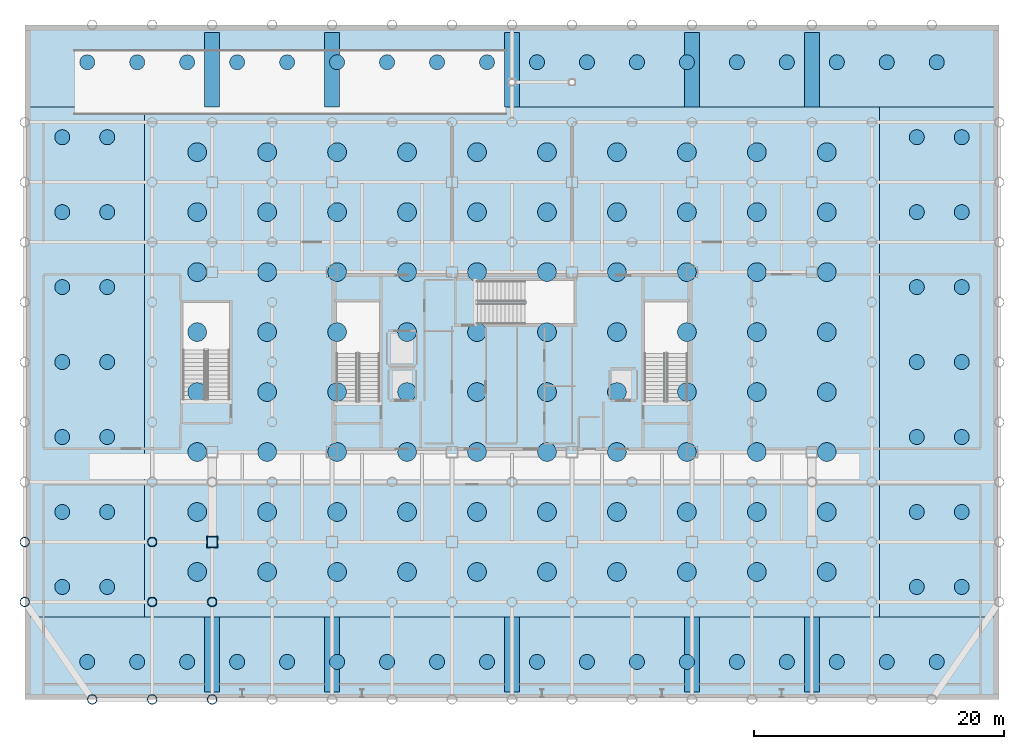
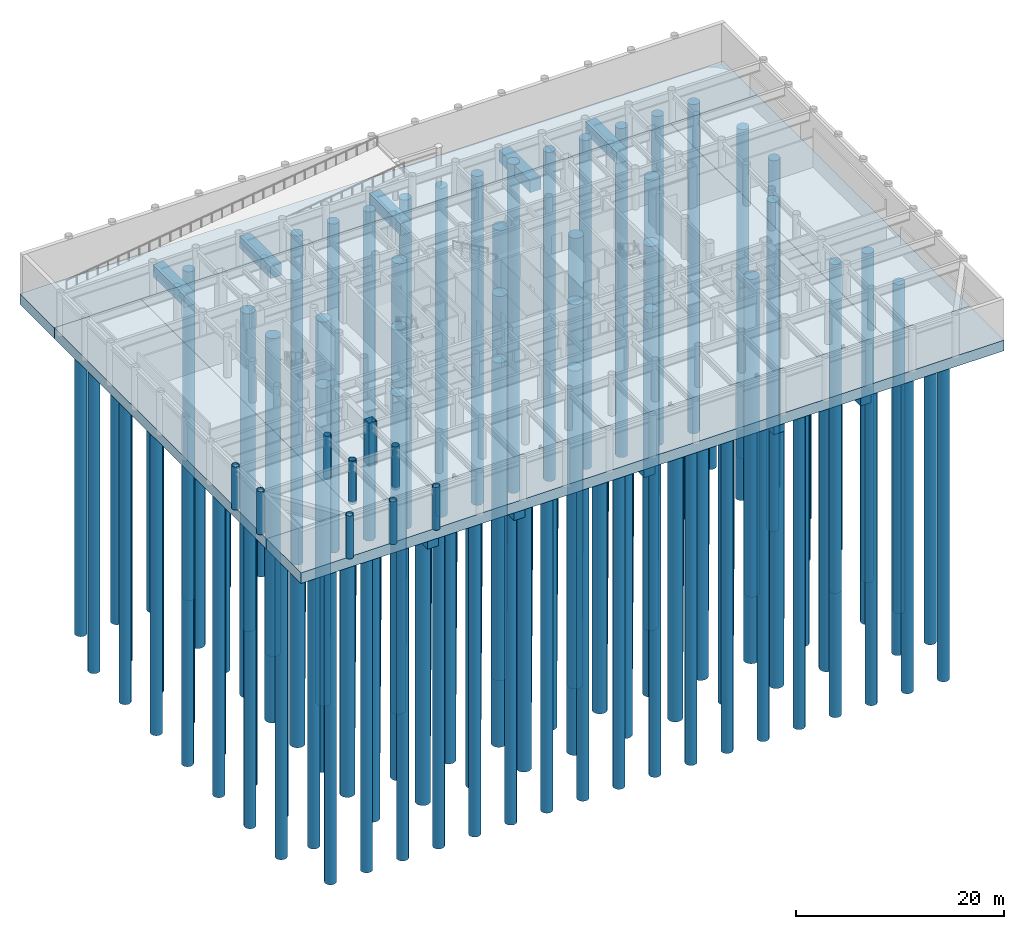
# One storey, part 1 of 17: 144 piles, 15 footings, 9 columns.
"""IFC4 building model written with IfcOpenShell, lengths in metres."""

from ifc_helpers import new_model, si_unit, direction, frame, origin, origin_2d, place, context, subcontext, project, spatial, polyline, rectangle, hollow_rectangle, circle, hollow_circle, outline, extrude, material, layer, layer_set, material_profile, profile_set, type_object, element, save


model = new_model("IFC4")

# Units and contexts
model_context = context("Model", 3, precision=1e-05, world=origin(), true_north=direction((0.0, 1.0)))
body_context = subcontext(model_context, "Body", "Model", "MODEL_VIEW")
ifc_project = project(units=[si_unit("LENGTHUNIT", "METRE"), si_unit("AREAUNIT", "SQUARE_METRE"), si_unit("VOLUMEUNIT", "CUBIC_METRE"), si_unit("PLANEANGLEUNIT", "RADIAN"), si_unit("MASSUNIT", "GRAM", prefix="KILO")], contexts=[model_context])

# Site, building, storey
site_placement = place(None, origin())
site = spatial("IfcSite", under=ifc_project, at=site_placement, CompositionType="ELEMENT")
building_placement = place(site_placement, origin())
building = spatial("IfcBuilding", under=site, at=building_placement, Name="Kallvorn Hotel Tower", CompositionType="ELEMENT")
storey_placement = place(building_placement, frame((0.0, 0.0, -10.199951171875)))
storey = spatial("IfcBuildingStorey", under=building, at=storey_placement, Name="B2", CompositionType="ELEMENT", Elevation=-10.199951171875)

# Footings
ifc_material_1 = material(Name="Concrete C40/50", Category="concrete")
ifc_material_profile_1 = material_profile(ifc_material_1, rectangle(XDim=1.199951171875, YDim=1.39990234375, at=origin_2d()), Name="RC 1200x1400")
ifc_profile_set_1 = profile_set([ifc_material_profile_1], Name="Concrete C40/50")
footing_type_1 = type_object("IfcFootingType", Name="FT_GRADE_BEAM_1200x1400", PredefinedType="FOOTING_BEAM", material=ifc_profile_set_1)
for number, where, z_axis, x_axis, name in (
    (1, (-24.0, -26.39990234375, -2.199951171875), (0.0, 1.0, 0.0), (-1.0, 0.0, 0.0), "Substructure Tie Beam 1"),
    (2, (-24.0, 20.39990234375, -2.199951171875), (0.0, 1.0, 0.0), (-1.0, 0.0, 0.0), "Substructure Tie Beam 2"),
    (3, (-14.39990234375, -26.39990234375, -2.199951171875), (0.0, 1.0, 0.0), (-1.0, 0.0, 0.0), "Substructure Tie Beam 3"),
    (4, (-14.39990234375, 20.39990234375, -2.199951171875), (0.0, 1.0, 0.0), (-1.0, 0.0, 0.0), "Substructure Tie Beam 4"),
    (5, (0.0, -26.39990234375, -2.199951171875), (0.0, 1.0, 0.0), (-1.0, 0.0, 0.0), "Substructure Tie Beam 5"),
    (6, (0.0, 20.39990234375, -2.199951171875), (0.0, 1.0, 0.0), (-1.0, 0.0, 0.0), "Substructure Tie Beam 6"),
    (7, (14.39990234375, -26.39990234375, -2.199951171875), (0.0, 1.0, 0.0), (-1.0, 0.0, 0.0), "Substructure Tie Beam 7"),
    (8, (14.39990234375, 20.39990234375, -2.199951171875), (0.0, 1.0, 0.0), (-1.0, 0.0, 0.0), "Substructure Tie Beam 8"),
    (9, (24.0, -26.39990234375, -2.199951171875), (0.0, 1.0, 0.0), (-1.0, 0.0, 0.0), "Substructure Tie Beam 9"),
    (10, (24.0, 20.39990234375, -2.199951171875), (0.0, 1.0, 0.0), (-1.0, 0.0, 0.0), "Substructure Tie Beam 10"),
):
    element("IfcFooting", number, at=place(storey_placement, frame(where, z_axis=z_axis, x_axis=x_axis)), inside=storey, type_object=footing_type_1, Name=name, PredefinedType="FOOTING_BEAM", context=body_context, shape_type="SweptSolid", body=[
        extrude(rectangle(XDim=1.199951171875, YDim=1.39990234375, at=origin_2d()), origin(), (0.0, 0.0, 1.0), 6.0),
    ])
ifc_material_2 = material(Name="Concrete C40/50", Category="concrete")
ifc_layer_1 = layer(ifc_material_2, 1.25)
ifc_layer_set_1 = layer_set([ifc_layer_1], Name="FT_RAFT_PODIUM_1250")
footing_type_2 = type_object("IfcFootingType", Name="FT_RAFT_PODIUM_1250", PredefinedType="STRIP_FOOTING", material=ifc_layer_set_1)
footing_1_placement = place(storey_placement, frame((0.0, 0.0, -1.5)))
element("IfcFooting", 11, at=footing_1_placement, inside=storey, type_object=footing_type_2, Name="Podium Perimeter Raft FT-RAFT-P-S", PredefinedType="STRIP_FOOTING", context=body_context, shape_type="SweptSolid", body=[
    extrude(outline(polyline([(-39.0, -27.0), (39.0, -27.0), (39.0, -20.39990234375), (-39.0, -20.39990234375), (-39.0, -27.0)])), origin(), (0.0, 0.0, 1.0), 1.25),
])
footing_2_placement = place(storey_placement, frame((0.0, 0.0, -1.5)))
element("IfcFooting", 12, at=footing_2_placement, inside=storey, type_object=footing_type_2, Name="Podium Perimeter Raft FT-RAFT-P-N", PredefinedType="STRIP_FOOTING", context=body_context, shape_type="SweptSolid", body=[
    extrude(outline(polyline([(-39.0, 20.39990234375), (39.0, 20.39990234375), (39.0, 27.0), (-39.0, 27.0), (-39.0, 20.39990234375)])), origin(), (0.0, 0.0, 1.0), 1.25),
])
footing_3_placement = place(storey_placement, frame((0.0, 0.0, -1.5)))
element("IfcFooting", 13, at=footing_3_placement, inside=storey, type_object=footing_type_2, Name="Podium Perimeter Raft FT-RAFT-P-W", PredefinedType="STRIP_FOOTING", context=body_context, shape_type="SweptSolid", body=[
    extrude(outline(polyline([(-39.0, -20.39990234375), (-29.39990234375, -20.39990234375), (-29.39990234375, 20.39990234375), (-39.0, 20.39990234375), (-39.0, -20.39990234375)])), origin(), (0.0, 0.0, 1.0), 1.25),
])
footing_4_placement = place(storey_placement, frame((0.0, 0.0, -1.5)))
element("IfcFooting", 14, at=footing_4_placement, inside=storey, type_object=footing_type_2, Name="Podium Perimeter Raft FT-RAFT-P-E", PredefinedType="STRIP_FOOTING", context=body_context, shape_type="SweptSolid", body=[
    extrude(outline(polyline([(29.39990234375, -20.39990234375), (39.0, -20.39990234375), (39.0, 20.39990234375), (29.39990234375, 20.39990234375), (29.39990234375, -20.39990234375)])), origin(), (0.0, 0.0, 1.0), 1.25),
])
ifc_material_3 = material(Name="Concrete C40/50", Category="concrete")
ifc_layer_2 = layer(ifc_material_3, 2.550048828125)
ifc_layer_set_2 = layer_set([ifc_layer_2], Name="FT_RAFT_TOWER_2550")
footing_type_3 = type_object("IfcFootingType", Name="FT_RAFT_TOWER_2550", PredefinedType="PILE_CAP", material=ifc_layer_set_2)
footing_5_placement = place(storey_placement, frame((0.0, 0.0, -2.800048828125)))
element("IfcFooting", 15, at=footing_5_placement, inside=storey, type_object=footing_type_3, Name="Tower Piled Raft Foundation", PredefinedType="PILE_CAP", context=body_context, shape_type="SweptSolid", body=[
    extrude(outline(polyline([(-29.39990234375, -20.39990234375), (29.39990234375, -20.39990234375), (29.39990234375, 20.39990234375), (-29.39990234375, 20.39990234375), (-29.39990234375, -20.39990234375)])), origin(), (0.0, 0.0, 1.0), 2.550048828125),
])

# Piles
ifc_material_4 = material(Name="Concrete C40/50", Category="concrete")
ifc_material_profile_2 = material_profile(ifc_material_4, circle(Radius=0.75, at=origin_2d()), Name="PILE D1500")
ifc_profile_set_2 = profile_set([ifc_material_profile_2], Name="Concrete C40/50")
pile_type_1 = type_object("IfcPileType", Name="PILE_P1_D1500", PredefinedType="BORED", material=ifc_profile_set_2)
for number, where, z_axis, x_axis, name in (
    (16, (-25.199951171875, -16.800048828125, -2.699951171875), (0.0, 0.0, -1.0), (1.0, 0.0, 0.0), "Bored Pile PILE-P1-001"),
    (17, (-19.60009765625, -16.800048828125, -2.699951171875), (0.0, 0.0, -1.0), (1.0, 0.0, 0.0), "Bored Pile PILE-P1-002"),
    (18, (-14.0, -16.800048828125, -2.699951171875), (0.0, 0.0, -1.0), (1.0, 0.0, 0.0), "Bored Pile PILE-P1-003"),
    (19, (-8.39990234375, -16.800048828125, -2.699951171875), (0.0, 0.0, -1.0), (1.0, 0.0, 0.0), "Bored Pile PILE-P1-004"),
    (20, (-2.800048828125, -16.800048828125, -2.699951171875), (0.0, 0.0, -1.0), (1.0, 0.0, 0.0), "Bored Pile PILE-P1-005"),
    (21, (2.800048828125, -16.800048828125, -2.699951171875), (0.0, 0.0, -1.0), (1.0, 0.0, 0.0), "Bored Pile PILE-P1-006"),
    (22, (8.39990234375, -16.800048828125, -2.699951171875), (0.0, 0.0, -1.0), (1.0, 0.0, 0.0), "Bored Pile PILE-P1-007"),
    (23, (14.0, -16.800048828125, -2.699951171875), (0.0, 0.0, -1.0), (1.0, 0.0, 0.0), "Bored Pile PILE-P1-008"),
    (24, (19.60009765625, -16.800048828125, -2.699951171875), (0.0, 0.0, -1.0), (1.0, 0.0, 0.0), "Bored Pile PILE-P1-009"),
    (25, (25.199951171875, -16.800048828125, -2.699951171875), (0.0, 0.0, -1.0), (1.0, 0.0, 0.0), "Bored Pile PILE-P1-010"),
    (26, (-25.199951171875, -12.0, -2.699951171875), (0.0, 0.0, -1.0), (1.0, 0.0, 0.0), "Bored Pile PILE-P1-011"),
    (27, (-19.60009765625, -12.0, -2.699951171875), (0.0, 0.0, -1.0), (1.0, 0.0, 0.0), "Bored Pile PILE-P1-012"),
    (28, (-14.0, -12.0, -2.699951171875), (0.0, 0.0, -1.0), (1.0, 0.0, 0.0), "Bored Pile PILE-P1-013"),
    (29, (-8.39990234375, -12.0, -2.699951171875), (0.0, 0.0, -1.0), (1.0, 0.0, 0.0), "Bored Pile PILE-P1-014"),
    (30, (-2.800048828125, -12.0, -2.699951171875), (0.0, 0.0, -1.0), (1.0, 0.0, 0.0), "Bored Pile PILE-P1-015"),
    (31, (2.800048828125, -12.0, -2.699951171875), (0.0, 0.0, -1.0), (1.0, 0.0, 0.0), "Bored Pile PILE-P1-016"),
    (32, (8.39990234375, -12.0, -2.699951171875), (0.0, 0.0, -1.0), (1.0, 0.0, 0.0), "Bored Pile PILE-P1-017"),
    (33, (14.0, -12.0, -2.699951171875), (0.0, 0.0, -1.0), (1.0, 0.0, 0.0), "Bored Pile PILE-P1-018"),
    (34, (19.60009765625, -12.0, -2.699951171875), (0.0, 0.0, -1.0), (1.0, 0.0, 0.0), "Bored Pile PILE-P1-019"),
    (35, (25.199951171875, -12.0, -2.699951171875), (0.0, 0.0, -1.0), (1.0, 0.0, 0.0), "Bored Pile PILE-P1-020"),
    (36, (-25.199951171875, -7.199951171875, -2.699951171875), (0.0, 0.0, -1.0), (1.0, 0.0, 0.0), "Bored Pile PILE-P1-021"),
    (37, (-19.60009765625, -7.199951171875, -2.699951171875), (0.0, 0.0, -1.0), (1.0, 0.0, 0.0), "Bored Pile PILE-P1-022"),
    (38, (-14.0, -7.199951171875, -2.699951171875), (0.0, 0.0, -1.0), (1.0, 0.0, 0.0), "Bored Pile PILE-P1-023"),
    (39, (-8.39990234375, -7.199951171875, -2.699951171875), (0.0, 0.0, -1.0), (1.0, 0.0, 0.0), "Bored Pile PILE-P1-024"),
    (40, (-2.800048828125, -7.199951171875, -2.699951171875), (0.0, 0.0, -1.0), (1.0, 0.0, 0.0), "Bored Pile PILE-P1-025"),
    (41, (2.800048828125, -7.199951171875, -2.699951171875), (0.0, 0.0, -1.0), (1.0, 0.0, 0.0), "Bored Pile PILE-P1-026"),
    (42, (8.39990234375, -7.199951171875, -2.699951171875), (0.0, 0.0, -1.0), (1.0, 0.0, 0.0), "Bored Pile PILE-P1-027"),
    (43, (14.0, -7.199951171875, -2.699951171875), (0.0, 0.0, -1.0), (1.0, 0.0, 0.0), "Bored Pile PILE-P1-028"),
    (44, (19.60009765625, -7.199951171875, -2.699951171875), (0.0, 0.0, -1.0), (1.0, 0.0, 0.0), "Bored Pile PILE-P1-029"),
    (45, (25.199951171875, -7.199951171875, -2.699951171875), (0.0, 0.0, -1.0), (1.0, 0.0, 0.0), "Bored Pile PILE-P1-030"),
    (46, (-25.199951171875, -2.39990234375, -2.699951171875), (0.0, 0.0, -1.0), (1.0, 0.0, 0.0), "Bored Pile PILE-P1-031"),
    (47, (-19.60009765625, -2.39990234375, -2.699951171875), (0.0, 0.0, -1.0), (1.0, 0.0, 0.0), "Bored Pile PILE-P1-032"),
    (48, (-14.0, -2.39990234375, -2.699951171875), (0.0, 0.0, -1.0), (1.0, 0.0, 0.0), "Bored Pile PILE-P1-033"),
    (49, (-8.39990234375, -2.39990234375, -2.699951171875), (0.0, 0.0, -1.0), (1.0, 0.0, 0.0), "Bored Pile PILE-P1-034"),
    (50, (-2.800048828125, -2.39990234375, -2.699951171875), (0.0, 0.0, -1.0), (1.0, 0.0, 0.0), "Bored Pile PILE-P1-035"),
    (51, (2.800048828125, -2.39990234375, -2.699951171875), (0.0, 0.0, -1.0), (1.0, 0.0, 0.0), "Bored Pile PILE-P1-036"),
    (52, (8.39990234375, -2.39990234375, -2.699951171875), (0.0, 0.0, -1.0), (1.0, 0.0, 0.0), "Bored Pile PILE-P1-037"),
    (53, (14.0, -2.39990234375, -2.699951171875), (0.0, 0.0, -1.0), (1.0, 0.0, 0.0), "Bored Pile PILE-P1-038"),
    (54, (19.60009765625, -2.39990234375, -2.699951171875), (0.0, 0.0, -1.0), (1.0, 0.0, 0.0), "Bored Pile PILE-P1-039"),
    (55, (25.199951171875, -2.39990234375, -2.699951171875), (0.0, 0.0, -1.0), (1.0, 0.0, 0.0), "Bored Pile PILE-P1-040"),
    (56, (-25.199951171875, 2.39990234375, -2.699951171875), (0.0, 0.0, -1.0), (1.0, 0.0, 0.0), "Bored Pile PILE-P1-041"),
    (57, (-19.60009765625, 2.39990234375, -2.699951171875), (0.0, 0.0, -1.0), (1.0, 0.0, 0.0), "Bored Pile PILE-P1-042"),
    (58, (-14.0, 2.39990234375, -2.699951171875), (0.0, 0.0, -1.0), (1.0, 0.0, 0.0), "Bored Pile PILE-P1-043"),
    (59, (-8.39990234375, 2.39990234375, -2.699951171875), (0.0, 0.0, -1.0), (1.0, 0.0, 0.0), "Bored Pile PILE-P1-044"),
    (60, (-2.800048828125, 2.39990234375, -2.699951171875), (0.0, 0.0, -1.0), (1.0, 0.0, 0.0), "Bored Pile PILE-P1-045"),
    (61, (2.800048828125, 2.39990234375, -2.699951171875), (0.0, 0.0, -1.0), (1.0, 0.0, 0.0), "Bored Pile PILE-P1-046"),
    (62, (8.39990234375, 2.39990234375, -2.699951171875), (0.0, 0.0, -1.0), (1.0, 0.0, 0.0), "Bored Pile PILE-P1-047"),
    (63, (14.0, 2.39990234375, -2.699951171875), (0.0, 0.0, -1.0), (1.0, 0.0, 0.0), "Bored Pile PILE-P1-048"),
    (64, (19.60009765625, 2.39990234375, -2.699951171875), (0.0, 0.0, -1.0), (1.0, 0.0, 0.0), "Bored Pile PILE-P1-049"),
    (65, (25.199951171875, 2.39990234375, -2.699951171875), (0.0, 0.0, -1.0), (1.0, 0.0, 0.0), "Bored Pile PILE-P1-050"),
    (66, (-25.199951171875, 7.199951171875, -2.699951171875), (0.0, 0.0, -1.0), (1.0, 0.0, 0.0), "Bored Pile PILE-P1-051"),
    (67, (-19.60009765625, 7.199951171875, -2.699951171875), (0.0, 0.0, -1.0), (1.0, 0.0, 0.0), "Bored Pile PILE-P1-052"),
    (68, (-14.0, 7.199951171875, -2.699951171875), (0.0, 0.0, -1.0), (1.0, 0.0, 0.0), "Bored Pile PILE-P1-053"),
    (69, (-8.39990234375, 7.199951171875, -2.699951171875), (0.0, 0.0, -1.0), (1.0, 0.0, 0.0), "Bored Pile PILE-P1-054"),
    (70, (-2.800048828125, 7.199951171875, -2.699951171875), (0.0, 0.0, -1.0), (1.0, 0.0, 0.0), "Bored Pile PILE-P1-055"),
    (71, (2.800048828125, 7.199951171875, -2.699951171875), (0.0, 0.0, -1.0), (1.0, 0.0, 0.0), "Bored Pile PILE-P1-056"),
    (72, (8.39990234375, 7.199951171875, -2.699951171875), (0.0, 0.0, -1.0), (1.0, 0.0, 0.0), "Bored Pile PILE-P1-057"),
    (73, (14.0, 7.199951171875, -2.699951171875), (0.0, 0.0, -1.0), (1.0, 0.0, 0.0), "Bored Pile PILE-P1-058"),
    (74, (19.60009765625, 7.199951171875, -2.699951171875), (0.0, 0.0, -1.0), (1.0, 0.0, 0.0), "Bored Pile PILE-P1-059"),
    (75, (25.199951171875, 7.199951171875, -2.699951171875), (0.0, 0.0, -1.0), (1.0, 0.0, 0.0), "Bored Pile PILE-P1-060"),
    (76, (-25.199951171875, 12.0, -2.699951171875), (0.0, 0.0, -1.0), (1.0, 0.0, 0.0), "Bored Pile PILE-P1-061"),
    (77, (-19.60009765625, 12.0, -2.699951171875), (0.0, 0.0, -1.0), (1.0, 0.0, 0.0), "Bored Pile PILE-P1-062"),
    (78, (-14.0, 12.0, -2.699951171875), (0.0, 0.0, -1.0), (1.0, 0.0, 0.0), "Bored Pile PILE-P1-063"),
    (79, (-8.39990234375, 12.0, -2.699951171875), (0.0, 0.0, -1.0), (1.0, 0.0, 0.0), "Bored Pile PILE-P1-064"),
    (80, (-2.800048828125, 12.0, -2.699951171875), (0.0, 0.0, -1.0), (1.0, 0.0, 0.0), "Bored Pile PILE-P1-065"),
    (81, (2.800048828125, 12.0, -2.699951171875), (0.0, 0.0, -1.0), (1.0, 0.0, 0.0), "Bored Pile PILE-P1-066"),
    (82, (8.39990234375, 12.0, -2.699951171875), (0.0, 0.0, -1.0), (1.0, 0.0, 0.0), "Bored Pile PILE-P1-067"),
    (83, (14.0, 12.0, -2.699951171875), (0.0, 0.0, -1.0), (1.0, 0.0, 0.0), "Bored Pile PILE-P1-068"),
    (84, (19.60009765625, 12.0, -2.699951171875), (0.0, 0.0, -1.0), (1.0, 0.0, 0.0), "Bored Pile PILE-P1-069"),
    (85, (25.199951171875, 12.0, -2.699951171875), (0.0, 0.0, -1.0), (1.0, 0.0, 0.0), "Bored Pile PILE-P1-070"),
    (86, (-25.199951171875, 16.800048828125, -2.699951171875), (0.0, 0.0, -1.0), (1.0, 0.0, 0.0), "Bored Pile PILE-P1-071"),
    (87, (-19.60009765625, 16.800048828125, -2.699951171875), (0.0, 0.0, -1.0), (1.0, 0.0, 0.0), "Bored Pile PILE-P1-072"),
    (88, (-14.0, 16.800048828125, -2.699951171875), (0.0, 0.0, -1.0), (1.0, 0.0, 0.0), "Bored Pile PILE-P1-073"),
    (89, (-8.39990234375, 16.800048828125, -2.699951171875), (0.0, 0.0, -1.0), (1.0, 0.0, 0.0), "Bored Pile PILE-P1-074"),
    (90, (-2.800048828125, 16.800048828125, -2.699951171875), (0.0, 0.0, -1.0), (1.0, 0.0, 0.0), "Bored Pile PILE-P1-075"),
    (91, (2.800048828125, 16.800048828125, -2.699951171875), (0.0, 0.0, -1.0), (1.0, 0.0, 0.0), "Bored Pile PILE-P1-076"),
    (92, (8.39990234375, 16.800048828125, -2.699951171875), (0.0, 0.0, -1.0), (1.0, 0.0, 0.0), "Bored Pile PILE-P1-077"),
    (93, (14.0, 16.800048828125, -2.699951171875), (0.0, 0.0, -1.0), (1.0, 0.0, 0.0), "Bored Pile PILE-P1-078"),
    (94, (19.60009765625, 16.800048828125, -2.699951171875), (0.0, 0.0, -1.0), (1.0, 0.0, 0.0), "Bored Pile PILE-P1-079"),
    (95, (25.199951171875, 16.800048828125, -2.699951171875), (0.0, 0.0, -1.0), (1.0, 0.0, 0.0), "Bored Pile PILE-P1-080"),
):
    element("IfcPile", number, at=place(storey_placement, frame(where, z_axis=z_axis, x_axis=x_axis)), inside=storey, type_object=pile_type_1, Name=name, PredefinedType="BORED", context=body_context, shape_type="SweptSolid", body=[
        extrude(circle(Radius=0.75, at=origin_2d()), origin(), (0.0, 0.0, 1.0), 37.300048828125),
    ])
ifc_material_5 = material(Name="Concrete C40/50", Category="concrete")
ifc_material_profile_3 = material_profile(ifc_material_5, circle(Radius=0.60009765625, at=origin_2d()), Name="PILE D1200")
ifc_profile_set_3 = profile_set([ifc_material_profile_3], Name="Concrete C40/50")
pile_type_2 = type_object("IfcPileType", Name="PILE_P2_D1200", PredefinedType="BORED", material=ifc_profile_set_3)
for number, where, z_axis, x_axis, name in (
    (96, (-34.0, -24.0, -1.400146484375), (0.0, 0.0, -1.0), (1.0, 0.0, 0.0), "Bored Pile PILE-P2-001"),
    (97, (-30.0, -24.0, -1.400146484375), (0.0, 0.0, -1.0), (1.0, 0.0, 0.0), "Bored Pile PILE-P2-002"),
    (98, (-26.0, -24.0, -1.400146484375), (0.0, 0.0, -1.0), (1.0, 0.0, 0.0), "Bored Pile PILE-P2-003"),
    (99, (-22.0, -24.0, -1.400146484375), (0.0, 0.0, -1.0), (1.0, 0.0, 0.0), "Bored Pile PILE-P2-004"),
    (100, (-18.0, -24.0, -1.400146484375), (0.0, 0.0, -1.0), (1.0, 0.0, 0.0), "Bored Pile PILE-P2-005"),
    (101, (-14.0, -24.0, -1.400146484375), (0.0, 0.0, -1.0), (1.0, 0.0, 0.0), "Bored Pile PILE-P2-006"),
    (102, (-10.0, -24.0, -1.400146484375), (0.0, 0.0, -1.0), (1.0, 0.0, 0.0), "Bored Pile PILE-P2-007"),
    (103, (-6.0, -24.0, -1.400146484375), (0.0, 0.0, -1.0), (1.0, 0.0, 0.0), "Bored Pile PILE-P2-008"),
    (104, (-2.0, -24.0, -1.400146484375), (0.0, 0.0, -1.0), (1.0, 0.0, 0.0), "Bored Pile PILE-P2-009"),
    (105, (2.0, -24.0, -1.400146484375), (0.0, 0.0, -1.0), (1.0, 0.0, 0.0), "Bored Pile PILE-P2-010"),
    (106, (6.0, -24.0, -1.400146484375), (0.0, 0.0, -1.0), (1.0, 0.0, 0.0), "Bored Pile PILE-P2-011"),
    (107, (10.0, -24.0, -1.400146484375), (0.0, 0.0, -1.0), (1.0, 0.0, 0.0), "Bored Pile PILE-P2-012"),
    (108, (14.0, -24.0, -1.400146484375), (0.0, 0.0, -1.0), (1.0, 0.0, 0.0), "Bored Pile PILE-P2-013"),
    (109, (18.0, -24.0, -1.400146484375), (0.0, 0.0, -1.0), (1.0, 0.0, 0.0), "Bored Pile PILE-P2-014"),
    (110, (22.0, -24.0, -1.400146484375), (0.0, 0.0, -1.0), (1.0, 0.0, 0.0), "Bored Pile PILE-P2-015"),
    (111, (26.0, -24.0, -1.400146484375), (0.0, 0.0, -1.0), (1.0, 0.0, 0.0), "Bored Pile PILE-P2-016"),
    (112, (30.0, -24.0, -1.400146484375), (0.0, 0.0, -1.0), (1.0, 0.0, 0.0), "Bored Pile PILE-P2-017"),
    (113, (34.0, -24.0, -1.400146484375), (0.0, 0.0, -1.0), (1.0, 0.0, 0.0), "Bored Pile PILE-P2-018"),
    (114, (-34.0, 24.0, -1.400146484375), (0.0, 0.0, -1.0), (1.0, 0.0, 0.0), "Bored Pile PILE-P2-019"),
    (115, (-30.0, 24.0, -1.400146484375), (0.0, 0.0, -1.0), (1.0, 0.0, 0.0), "Bored Pile PILE-P2-020"),
    (116, (-26.0, 24.0, -1.400146484375), (0.0, 0.0, -1.0), (1.0, 0.0, 0.0), "Bored Pile PILE-P2-021"),
    (117, (-22.0, 24.0, -1.400146484375), (0.0, 0.0, -1.0), (1.0, 0.0, 0.0), "Bored Pile PILE-P2-022"),
    (118, (-18.0, 24.0, -1.400146484375), (0.0, 0.0, -1.0), (1.0, 0.0, 0.0), "Bored Pile PILE-P2-023"),
    (119, (-14.0, 24.0, -1.400146484375), (0.0, 0.0, -1.0), (1.0, 0.0, 0.0), "Bored Pile PILE-P2-024"),
    (120, (-10.0, 24.0, -1.400146484375), (0.0, 0.0, -1.0), (1.0, 0.0, 0.0), "Bored Pile PILE-P2-025"),
    (121, (-6.0, 24.0, -1.400146484375), (0.0, 0.0, -1.0), (1.0, 0.0, 0.0), "Bored Pile PILE-P2-026"),
    (122, (-2.0, 24.0, -1.400146484375), (0.0, 0.0, -1.0), (1.0, 0.0, 0.0), "Bored Pile PILE-P2-027"),
    (123, (2.0, 24.0, -1.400146484375), (0.0, 0.0, -1.0), (1.0, 0.0, 0.0), "Bored Pile PILE-P2-028"),
    (124, (6.0, 24.0, -1.400146484375), (0.0, 0.0, -1.0), (1.0, 0.0, 0.0), "Bored Pile PILE-P2-029"),
    (125, (10.0, 24.0, -1.400146484375), (0.0, 0.0, -1.0), (1.0, 0.0, 0.0), "Bored Pile PILE-P2-030"),
    (126, (14.0, 24.0, -1.400146484375), (0.0, 0.0, -1.0), (1.0, 0.0, 0.0), "Bored Pile PILE-P2-031"),
    (127, (18.0, 24.0, -1.400146484375), (0.0, 0.0, -1.0), (1.0, 0.0, 0.0), "Bored Pile PILE-P2-032"),
    (128, (22.0, 24.0, -1.400146484375), (0.0, 0.0, -1.0), (1.0, 0.0, 0.0), "Bored Pile PILE-P2-033"),
    (129, (26.0, 24.0, -1.400146484375), (0.0, 0.0, -1.0), (1.0, 0.0, 0.0), "Bored Pile PILE-P2-034"),
    (130, (30.0, 24.0, -1.400146484375), (0.0, 0.0, -1.0), (1.0, 0.0, 0.0), "Bored Pile PILE-P2-035"),
    (131, (34.0, 24.0, -1.400146484375), (0.0, 0.0, -1.0), (1.0, 0.0, 0.0), "Bored Pile PILE-P2-036"),
    (132, (-36.0, -18.0, -1.400146484375), (0.0, 0.0, -1.0), (1.0, 0.0, 0.0), "Bored Pile PILE-P2-037"),
    (133, (-36.0, -12.0, -1.400146484375), (0.0, 0.0, -1.0), (1.0, 0.0, 0.0), "Bored Pile PILE-P2-038"),
    (134, (-36.0, -6.0, -1.400146484375), (0.0, 0.0, -1.0), (1.0, 0.0, 0.0), "Bored Pile PILE-P2-039"),
    (135, (-36.0, 0.0, -1.400146484375), (0.0, 0.0, -1.0), (1.0, 0.0, 0.0), "Bored Pile PILE-P2-040"),
    (136, (-36.0, 6.0, -1.400146484375), (0.0, 0.0, -1.0), (1.0, 0.0, 0.0), "Bored Pile PILE-P2-041"),
    (137, (-36.0, 12.0, -1.400146484375), (0.0, 0.0, -1.0), (1.0, 0.0, 0.0), "Bored Pile PILE-P2-042"),
    (138, (-36.0, 18.0, -1.400146484375), (0.0, 0.0, -1.0), (1.0, 0.0, 0.0), "Bored Pile PILE-P2-043"),
    (139, (-32.39990234375, -18.0, -1.400146484375), (0.0, 0.0, -1.0), (1.0, 0.0, 0.0), "Bored Pile PILE-P2-044"),
    (140, (-32.39990234375, -12.0, -1.400146484375), (0.0, 0.0, -1.0), (1.0, 0.0, 0.0), "Bored Pile PILE-P2-045"),
    (141, (-32.39990234375, -6.0, -1.400146484375), (0.0, 0.0, -1.0), (1.0, 0.0, 0.0), "Bored Pile PILE-P2-046"),
    (142, (-32.39990234375, 0.0, -1.400146484375), (0.0, 0.0, -1.0), (1.0, 0.0, 0.0), "Bored Pile PILE-P2-047"),
    (143, (-32.39990234375, 6.0, -1.400146484375), (0.0, 0.0, -1.0), (1.0, 0.0, 0.0), "Bored Pile PILE-P2-048"),
    (144, (-32.39990234375, 12.0, -1.400146484375), (0.0, 0.0, -1.0), (1.0, 0.0, 0.0), "Bored Pile PILE-P2-049"),
    (145, (-32.39990234375, 18.0, -1.400146484375), (0.0, 0.0, -1.0), (1.0, 0.0, 0.0), "Bored Pile PILE-P2-050"),
    (146, (32.39990234375, -18.0, -1.400146484375), (0.0, 0.0, -1.0), (1.0, 0.0, 0.0), "Bored Pile PILE-P2-051"),
    (147, (32.39990234375, -12.0, -1.400146484375), (0.0, 0.0, -1.0), (1.0, 0.0, 0.0), "Bored Pile PILE-P2-052"),
    (148, (32.39990234375, -6.0, -1.400146484375), (0.0, 0.0, -1.0), (1.0, 0.0, 0.0), "Bored Pile PILE-P2-053"),
    (149, (32.39990234375, 0.0, -1.400146484375), (0.0, 0.0, -1.0), (1.0, 0.0, 0.0), "Bored Pile PILE-P2-054"),
    (150, (32.39990234375, 6.0, -1.400146484375), (0.0, 0.0, -1.0), (1.0, 0.0, 0.0), "Bored Pile PILE-P2-055"),
    (151, (32.39990234375, 12.0, -1.400146484375), (0.0, 0.0, -1.0), (1.0, 0.0, 0.0), "Bored Pile PILE-P2-056"),
    (152, (32.39990234375, 18.0, -1.400146484375), (0.0, 0.0, -1.0), (1.0, 0.0, 0.0), "Bored Pile PILE-P2-057"),
    (153, (36.0, -18.0, -1.400146484375), (0.0, 0.0, -1.0), (1.0, 0.0, 0.0), "Bored Pile PILE-P2-058"),
    (154, (36.0, -12.0, -1.400146484375), (0.0, 0.0, -1.0), (1.0, 0.0, 0.0), "Bored Pile PILE-P2-059"),
    (155, (36.0, -6.0, -1.400146484375), (0.0, 0.0, -1.0), (1.0, 0.0, 0.0), "Bored Pile PILE-P2-060"),
    (156, (36.0, 0.0, -1.400146484375), (0.0, 0.0, -1.0), (1.0, 0.0, 0.0), "Bored Pile PILE-P2-061"),
    (157, (36.0, 6.0, -1.400146484375), (0.0, 0.0, -1.0), (1.0, 0.0, 0.0), "Bored Pile PILE-P2-062"),
    (158, (36.0, 12.0, -1.400146484375), (0.0, 0.0, -1.0), (1.0, 0.0, 0.0), "Bored Pile PILE-P2-063"),
    (159, (36.0, 18.0, -1.400146484375), (0.0, 0.0, -1.0), (1.0, 0.0, 0.0), "Bored Pile PILE-P2-064"),
):
    element("IfcPile", number, at=place(storey_placement, frame(where, z_axis=z_axis, x_axis=x_axis)), inside=storey, type_object=pile_type_2, Name=name, PredefinedType="BORED", context=body_context, shape_type="SweptSolid", body=[
        extrude(circle(Radius=0.60009765625, at=origin_2d()), origin(), (0.0, 0.0, 1.0), 38.60009765625),
    ])

# Columns
ifc_material_6 = material(Name="Structural steel S355J2H", Category="steel")
ifc_material_profile_4 = material_profile(ifc_material_6, hollow_circle(Radius=0.381103515625, WallThickness=0.031982421875, at=origin_2d()), Name="CHS 762x32")
ifc_profile_set_4 = profile_set([ifc_material_profile_4], Name="Structural steel S355J2H")
column_type_1 = type_object("IfcColumnType", Name="COL_CHS_762", PredefinedType="COLUMN", material=ifc_profile_set_4)
for number, where, z_axis, x_axis, name in (
    (160, (-39.0, -19.199951171875, -0.25), (0.0, 0.0, 1.0), (1.0, 0.0, 0.0), "B2 Exoskeleton Column EC01"),
    (161, (-39.0, -14.39990234375, -0.25), (0.0, 0.0, 1.0), (1.0, 0.0, 0.0), "B2 Exoskeleton Column EC02"),
    (162, (-33.60009765625, -27.0, -0.25), (0.0, 0.0, 1.0), (1.0, 0.0, 0.0), "B2 Exoskeleton Column EC10"),
    (163, (-28.800048828125, -27.0, -0.25), (0.0, 0.0, 1.0), (1.0, 0.0, 0.0), "B2 Exoskeleton Column EC12"),
    (164, (-28.800048828125, -19.199951171875, -0.25), (0.0, 0.0, 1.0), (1.0, 0.0, 0.0), "B2 Exoskeleton Column EC13"),
    (165, (-28.800048828125, -14.39990234375, -0.25), (0.0, 0.0, 1.0), (1.0, 0.0, 0.0), "B2 Exoskeleton Column EC14"),
    (166, (-24.0, -27.0, -0.25), (0.0, 0.0, 1.0), (1.0, 0.0, 0.0), "B2 Exoskeleton Column EC23"),
    (167, (-24.0, -19.199951171875, -0.25), (0.0, 0.0, 1.0), (1.0, 0.0, 0.0), "B2 Exoskeleton Column EC24"),
):
    element("IfcColumn", number, at=place(storey_placement, frame(where, z_axis=z_axis, x_axis=x_axis)), inside=storey, type_object=column_type_1, Name=name, PredefinedType="COLUMN", context=body_context, shape_type="SweptSolid", body=[
        extrude(hollow_circle(Radius=0.381103515625, WallThickness=0.031982421875, at=origin_2d()), origin(), (0.0, 0.0, 1.0), 5.050048828125),
    ])
ifc_material_7 = material(Name="Structural steel S355J2H", Category="steel")
ifc_material_profile_5 = material_profile(ifc_material_7, hollow_rectangle(XDim=0.89990234375, YDim=0.89990234375, WallThickness=0.0400390625, at=origin_2d()), Name="RHS 900x900x40")
ifc_profile_set_5 = profile_set([ifc_material_profile_5], Name="Structural steel S355J2H")
column_type_2 = type_object("IfcColumnType", Name="COL_RHS_900", PredefinedType="COLUMN", material=ifc_profile_set_5)
column_placement = place(storey_placement, frame((-24.0, -14.39990234375, -0.25), z_axis=(0.0, 0.0, 1.0), x_axis=(1.0, 0.0, 0.0)))
element("IfcColumn", 168, at=column_placement, inside=storey, type_object=column_type_2, Name="B2 Inner Column IC01", PredefinedType="COLUMN", context=body_context, shape_type="SweptSolid", body=[
    extrude(hollow_rectangle(XDim=0.89990234375, YDim=0.89990234375, WallThickness=0.0400390625, at=origin_2d()), origin(), (0.0, 0.0, 1.0), 5.050048828125),
])

save(model, "model.ifc")
